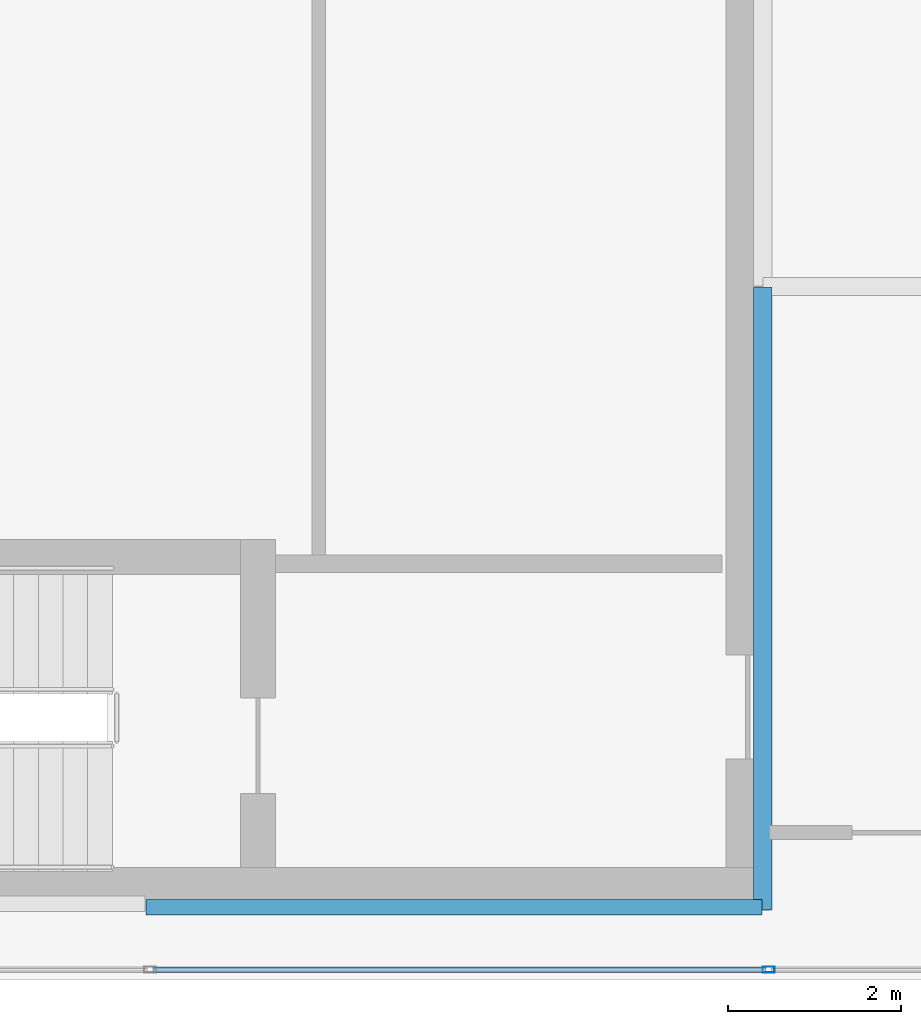
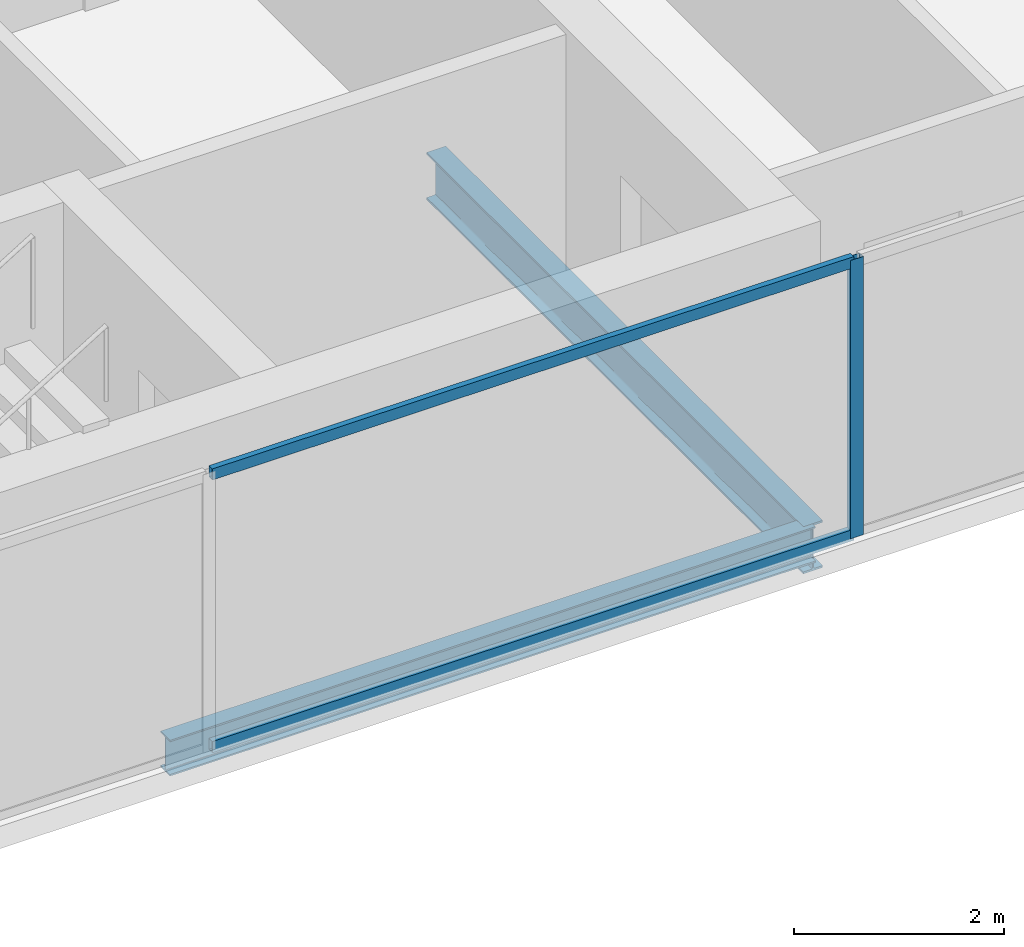
# One storey, part 3 of 23: 3 members, 2 beams, 1 element without a shape of its own.
"""IFC4 building model written with IfcOpenShell, lengths in metres."""

import ifcopenshell
import ifcopenshell.guid

model = None  # the IFC model being written
_history = None  # IfcOwnerHistory: only IFC2X3 demands one
_inside = {}  # id of a spatial element -> (the spatial element, [elements in it])
_under = {}  # id of a project, library or spatial element -> (it, [spatial elements below it])
_declared = {}  # id of a project -> (the project, [libraries it declares])
_typed = {}  # id of a type object -> (the type object, [elements of that type])
_made_of = {}  # id of a material, layer set ... -> (it, [elements and type objects made of it])


def new_model(schema):
    """Start an empty IFC model of exactly this schema.

    Asked for "IFC4X3", IfcOpenShell would pick the latest addendum, in which some entities
    have other attributes; the version numbers below select the first issue.
    IFC2X3 requires an IfcOwnerHistory on every rooted entity: one is made here for all.
    """
    global model, _history
    if schema == "IFC4X3":
        model = ifcopenshell.file(schema_version=(4, 3, 0, 0))
    else:
        model = ifcopenshell.file(schema=schema)
    _inside.clear()
    _under.clear()
    _declared.clear()
    _typed.clear()
    _made_of.clear()
    _history = None
    if model.schema == "IFC2X3":
        org = make("IfcOrganization", Name="unknown")
        user = make(
            "IfcPersonAndOrganization",
            ThePerson=make("IfcPerson", FamilyName="unknown"),
            TheOrganization=org,
        )
        app = make(
            "IfcApplication",
            ApplicationDeveloper=org,
            Version="unknown",
            ApplicationFullName="unknown",
            ApplicationIdentifier="unknown",
        )
        _history = make(
            "IfcOwnerHistory",
            OwningUser=user,
            OwningApplication=app,
            ChangeAction="ADDED",
            CreationDate=0,
        )
    return model


def make(cls, **values):
    """One entity of the class cls with the attributes given. An attribute that is None is left unset."""
    return model.create_entity(
        cls, **{name: value for name, value in values.items() if value is not None}
    )


def rooted(cls, **values):
    """An entity with a GlobalId (a new one), such as an element, a storey or a relation."""
    return make(cls, GlobalId=ifcopenshell.guid.new(), OwnerHistory=_history, **values)


def si_unit(unit_type, name, prefix=None):
    """IfcSIUnit, for example si_unit("LENGTHUNIT", "METRE", prefix="MILLI")."""
    return make("IfcSIUnit", UnitType=unit_type, Prefix=prefix, Name=name)


def assignment(units):
    """IfcUnitAssignment: the units of a project."""
    return None if units is None else make("IfcUnitAssignment", Units=units)


def point(xyz):
    """IfcCartesianPoint."""
    return None if xyz is None else make("IfcCartesianPoint", Coordinates=xyz)


def direction(xyz):
    """IfcDirection."""
    return None if xyz is None else make("IfcDirection", DirectionRatios=xyz)


def frame(location, z_axis=None, x_axis=None):
    """IfcAxis2Placement3D, a coordinate frame: its origin and axes. An axis left out is left unset."""
    return make(
        "IfcAxis2Placement3D",
        Location=point(location),
        Axis=direction(z_axis),
        RefDirection=direction(x_axis),
    )


def frame_2d(location, x_axis=None):
    """IfcAxis2Placement2D, a coordinate frame in the plane: its origin and x axis."""
    return make(
        "IfcAxis2Placement2D", Location=point(location), RefDirection=direction(x_axis)
    )


def origin():
    """The frame at (0, 0, 0) with its axes left unset."""
    return frame((0.0, 0.0, 0.0))


def origin_2d():
    """The frame at (0, 0) in the plane with its x axis left unset."""
    return frame_2d((0.0, 0.0))


def place(relative_to, where):
    """IfcLocalPlacement: puts the frame where relative to a parent placement (None: the world)."""
    return make(
        "IfcLocalPlacement", PlacementRelTo=relative_to, RelativePlacement=where
    )


def context(
    kind, dimensions, precision=None, world=None, true_north=None, identifier=None
):
    """IfcGeometricRepresentationContext, for example the 3D "Model" context."""
    return make(
        "IfcGeometricRepresentationContext",
        ContextIdentifier=identifier,
        ContextType=kind,
        CoordinateSpaceDimension=dimensions,
        Precision=precision,
        WorldCoordinateSystem=world,
        TrueNorth=true_north,
    )


def subcontext(parent, identifier, kind, view, scale=None):
    """IfcGeometricRepresentationSubContext, for example "Body" below "Model"."""
    return make(
        "IfcGeometricRepresentationSubContext",
        ContextIdentifier=identifier,
        ContextType=kind,
        ParentContext=parent,
        TargetScale=scale,
        TargetView=view,
    )


def project(units=None, contexts=None):
    """IfcProject with its units and contexts."""
    return rooted(
        "IfcProject",
        Name="project",
        RepresentationContexts=contexts,
        UnitsInContext=assignment(units),
    )


def spatial(cls, under=None, at=None, **own):
    """A site, building, storey or space (cls), placed at a placement, below another one or the project."""
    s = rooted(cls, ObjectPlacement=at, **own)
    if under is not None:
        _under.setdefault(under.id(), (under, []))[1].append(s)
    return s


def profile(cls, at=None, kind="AREA", **sizes):
    """A parametric profile (cls). Its sizes go by their IFC names, for example OverallWidth=200.0."""
    return make(cls, ProfileType=kind, Position=at, **sizes)


def hollow_rectangle(**sizes):
    """IfcRectangleHollowProfileDef."""
    return profile("IfcRectangleHollowProfileDef", **sizes)


def i_section(**sizes):
    """IfcIShapeProfileDef."""
    return profile("IfcIShapeProfileDef", **sizes)


def extrude(swept, where, along, depth):
    """IfcExtrudedAreaSolid: the profile swept, set in the frame where, extruded along a direction by depth."""
    return make(
        "IfcExtrudedAreaSolid",
        SweptArea=swept,
        Position=where,
        ExtrudedDirection=direction(along),
        Depth=depth,
    )


def shape(context_of_items, identifier, shape_type, items):
    """IfcShapeRepresentation: the items that make up one representation, for example the "Body"."""
    return make(
        "IfcShapeRepresentation",
        ContextOfItems=context_of_items,
        RepresentationIdentifier=identifier,
        RepresentationType=shape_type,
        Items=items,
    )


def material(Name=None, Category=None):
    """IfcMaterial."""
    return make("IfcMaterial", Name=Name, Category=Category)


def material_profile(
    of_material, cross_section, Name=None, Category=None, Priority=None
):
    """IfcMaterialProfile: a cross section and its material."""
    return make(
        "IfcMaterialProfile",
        Name=Name,
        Material=of_material,
        Profile=cross_section,
        Priority=Priority,
        Category=Category,
    )


def profile_set(profiles, Name=None, composite=None):
    """IfcMaterialProfileSet."""
    return make(
        "IfcMaterialProfileSet",
        Name=Name,
        MaterialProfiles=profiles,
        CompositeProfile=composite,
    )


def made_of(thing, what):
    """Note that an element or type object is made of a material, layer set ...; save() writes the relation."""
    if what is not None:
        _made_of.setdefault(what.id(), (what, []))[1].append(thing)
    return thing


def type_object(cls, material=None, **own):
    """A type object (cls), such as IfcWallType, which elements share."""
    return made_of(rooted(cls, **own), material)


def element(
    cls,
    number,
    at=None,
    inside=None,
    cuts=None,
    type_object=None,
    material=None,
    context=None,
    identifier="Body",
    shape_type=None,
    held_by="IfcProductDefinitionShape",
    body=None,
    shapes=None,
    **own,
):
    """One element of the class cls, such as IfcWall. Its Tag is "e" and its number.

    at: its placement. inside: the storey or other place that contains it. cuts: it is an
    opening in that element (IfcRelVoidsElement). A single representation is given by context,
    identifier, shape_type and body (its items); several are given by shapes. held_by: the class
    of the entity that holds the representations. save() writes the other relations.
    """
    e = rooted(cls, Tag="e%d" % number, ObjectPlacement=at, **own)
    if body is not None:
        shapes = [shape(context, identifier, shape_type, body)]
    if shapes is not None:
        e.Representation = make(held_by, Representations=shapes)
    if inside is not None:
        _inside.setdefault(inside.id(), (inside, []))[1].append(e)
    if cuts is not None:
        rooted(
            "IfcRelVoidsElement", RelatingBuildingElement=cuts, RelatedOpeningElement=e
        )
    if type_object is not None:
        _typed.setdefault(type_object.id(), (type_object, []))[1].append(e)
    return made_of(e, material)


def aggregate(whole, parts):
    """IfcRelAggregates: a whole, such as a stair, and the parts it consists of."""
    return rooted("IfcRelAggregates", RelatingObject=whole, RelatedObjects=parts)


def save(model, path):
    """Write the relations noted so far, then the file.

    IfcRelAggregates (storeys below a building ...), IfcRelContainedInSpatialStructure (elements
    in a storey), IfcRelDefinesByType, IfcRelAssociatesMaterial and IfcRelDeclares: one each for
    every whole, place, type object, material and project.
    """
    for whole, parts in _under.values():
        aggregate(whole, parts)
    for where, things in _inside.values():
        rooted(
            "IfcRelContainedInSpatialStructure",
            RelatedElements=things,
            RelatingStructure=where,
        )
    for kind, things in _typed.values():
        rooted("IfcRelDefinesByType", RelatedObjects=things, RelatingType=kind)
    for what, things in _made_of.values():
        rooted("IfcRelAssociatesMaterial", RelatedObjects=things, RelatingMaterial=what)
    for by, libraries in _declared.values():
        rooted("IfcRelDeclares", RelatingContext=by, RelatedDefinitions=libraries)
    model.write(path)


model = new_model("IFC4")

# Units and contexts
model_context = context("Model", 3, precision=1e-05, world=origin(), true_north=direction((0.0, 1.0)))
body_context = subcontext(model_context, "Body", "Model", "MODEL_VIEW")
ifc_project = project(units=[si_unit("LENGTHUNIT", "METRE"), si_unit("AREAUNIT", "SQUARE_METRE"), si_unit("VOLUMEUNIT", "CUBIC_METRE"), si_unit("PLANEANGLEUNIT", "RADIAN"), si_unit("MASSUNIT", "GRAM", prefix="KILO")], contexts=[model_context])

# Site, building, storey
site_placement = place(None, origin())
site = spatial("IfcSite", under=ifc_project, at=site_placement, CompositionType="ELEMENT")
building_placement = place(site_placement, origin())
building = spatial("IfcBuilding", under=site, at=building_placement, Name="Cobrela Telecom Tower", CompositionType="ELEMENT")
storey_placement = place(building_placement, frame((0.0, 0.0, 251.64990234375)))
storey = spatial("IfcBuildingStorey", under=building, at=storey_placement, Name="L65", CompositionType="ELEMENT", Elevation=251.64990234375)

# Beams
ifc_material_1 = material(Name="Steel ASTM A992 Grade 50", Category="steel")
ifc_material_profile_1 = material_profile(ifc_material_1, i_section(OverallWidth=0.212890625, OverallDepth=0.549072265625, WebThickness=0.0146484375, FlangeThickness=0.023681640625, FilletRadius=0.013916015625, at=origin_2d()), Name="W21X93")
ifc_profile_set_1 = profile_set([ifc_material_profile_1], Name="Steel ASTM A992 Grade 50")
beam_type_1 = type_object("IfcBeamType", Name="BM-GIRD-08", PredefinedType="USERDEFINED", material=ifc_profile_set_1)
beam_1_placement = place(storey_placement, frame((14.320068359375, 7.205078125, -0.534423828125), z_axis=(0.0, 1.0, 0.0), x_axis=(-1.0, 0.0, 0.0)))
element("IfcBeam", 1, at=beam_1_placement, inside=storey, type_object=beam_type_1, Name="L65 Primary Girder Y21", ObjectType="GIRDER", PredefinedType="USERDEFINED", context=body_context, shape_type="SweptSolid", body=[
    extrude(i_section(OverallWidth=0.212890625, OverallDepth=0.549072265625, WebThickness=0.0146484375, FlangeThickness=0.023681640625, FilletRadius=0.013916015625, at=origin_2d()), origin(), (0.0, 0.0, 1.0), 7.18994140625),
])
ifc_material_profile_2 = material_profile(ifc_material_1, i_section(OverallWidth=0.179931640625, OverallDepth=0.4169921875, WebThickness=0.010986328125, FlangeThickness=0.01806640625, FilletRadius=0.011962890625, at=origin_2d()), Name="W16X57")
ifc_profile_set_2 = profile_set([ifc_material_profile_2], Name="Steel ASTM A992 Grade 50")
beam_type_2 = type_object("IfcBeamType", Name="BM-SPAND-06", PredefinedType="SPANDREL", material=ifc_profile_set_2)
beam_2_placement = place(storey_placement, frame((7.205078125, 7.239990234375, -0.468505859375), z_axis=(1.0, 0.0, 0.0), x_axis=(0.0, 1.0, 0.0)))
element("IfcBeam", 2, at=beam_2_placement, inside=storey, type_object=beam_type_2, Name="L65 Perimeter Spandrel X02", PredefinedType="SPANDREL", context=body_context, shape_type="SweptSolid", body=[
    extrude(i_section(OverallWidth=0.179931640625, OverallDepth=0.4169921875, WebThickness=0.010986328125, FlangeThickness=0.01806640625, FilletRadius=0.011962890625, at=origin_2d()), origin(), (0.0, 0.0, 1.0), 7.10986328125),
])

# Curtain wall, members
ifc_material_2 = material(Name="Anodized Bronze Aluminium 6063-T6", Category="aluminium")
curtain_wall_type = type_object("IfcCurtainWallType", Name="CW-SYS-OFF-HI", PredefinedType="USERDEFINED", material=ifc_material_2)
curtain_wall_placement = place(storey_placement, origin())
curtain_wall = element("IfcCurtainWall", 3, at=curtain_wall_placement, inside=storey, type_object=curtain_wall_type, Name="L65 Unitised Bronze Curtain Wall 15", ObjectType="UNITISED CURTAIN WALL", PredefinedType="USERDEFINED")
ifc_material_profile_3 = material_profile(ifc_material_2, hollow_rectangle(XDim=0.070068359375, YDim=0.139892578125, WallThickness=0.00390625, at=origin_2d()), Name="ALU 70x140x4")
ifc_profile_set_3 = profile_set([ifc_material_profile_3], Name="Anodized Bronze Aluminium 6063-T6")
member_type_1 = type_object("IfcMemberType", Name="CW-SYS-OFF-HI-MUL", PredefinedType="MULLION", material=ifc_profile_set_3)
member_1_placement = place(storey_placement, frame((14.389892578125, 6.52001953125, 0.0), z_axis=(0.0, 0.0, 1.0), x_axis=(0.0, -1.0, 0.0)))
member_1 = element("IfcMember", 4, at=member_1_placement, type_object=member_type_1, Name="CW-OFF-HI mullion 5", PredefinedType="MULLION", context=body_context, shape_type="SweptSolid", body=[
    extrude(hollow_rectangle(XDim=0.070068359375, YDim=0.139892578125, WallThickness=0.00390625, at=origin_2d()), origin(), (0.0, 0.0, 1.0), 3.239990234375),
])
ifc_material_profile_4 = material_profile(ifc_material_2, hollow_rectangle(XDim=0.06494140625, YDim=0.1298828125, WallThickness=0.00390625, at=origin_2d()), Name="ALU 65x130x4")
ifc_profile_set_4 = profile_set([ifc_material_profile_4], Name="Anodized Bronze Aluminium 6063-T6")
member_type_2 = type_object("IfcMemberType", Name="CW-SYS-OFF-HI-TRN", PredefinedType="USERDEFINED", material=ifc_profile_set_4)
member_2_placement = place(storey_placement, frame((14.35498046875, 6.52001953125, 0.03271484375), z_axis=(-1.0, 0.0, 0.0), x_axis=(0.0, -1.0, 0.0)))
member_2 = element("IfcMember", 5, at=member_2_placement, type_object=member_type_2, Name="CW-OFF-HI transom 5.1", ObjectType="TRANSOM", PredefinedType="USERDEFINED", context=body_context, shape_type="SweptSolid", body=[
    extrude(hollow_rectangle(XDim=0.06494140625, YDim=0.1298828125, WallThickness=0.00390625, at=origin_2d()), origin(), (0.0, 0.0, 1.0), 7.06494140625),
])
member_3_placement = place(storey_placement, frame((14.35498046875, 6.52001953125, 3.20751953125), z_axis=(-1.0, 0.0, 0.0), x_axis=(0.0, -1.0, 0.0)))
member_3 = element("IfcMember", 6, at=member_3_placement, type_object=member_type_2, Name="CW-OFF-HI transom 5.2", ObjectType="TRANSOM", PredefinedType="USERDEFINED", context=body_context, shape_type="SweptSolid", body=[
    extrude(hollow_rectangle(XDim=0.06494140625, YDim=0.1298828125, WallThickness=0.00390625, at=origin_2d()), origin(), (0.0, 0.0, 1.0), 7.06494140625),
])
aggregate(curtain_wall, [member_1, member_2, member_3])

save(model, "model.ifc")
